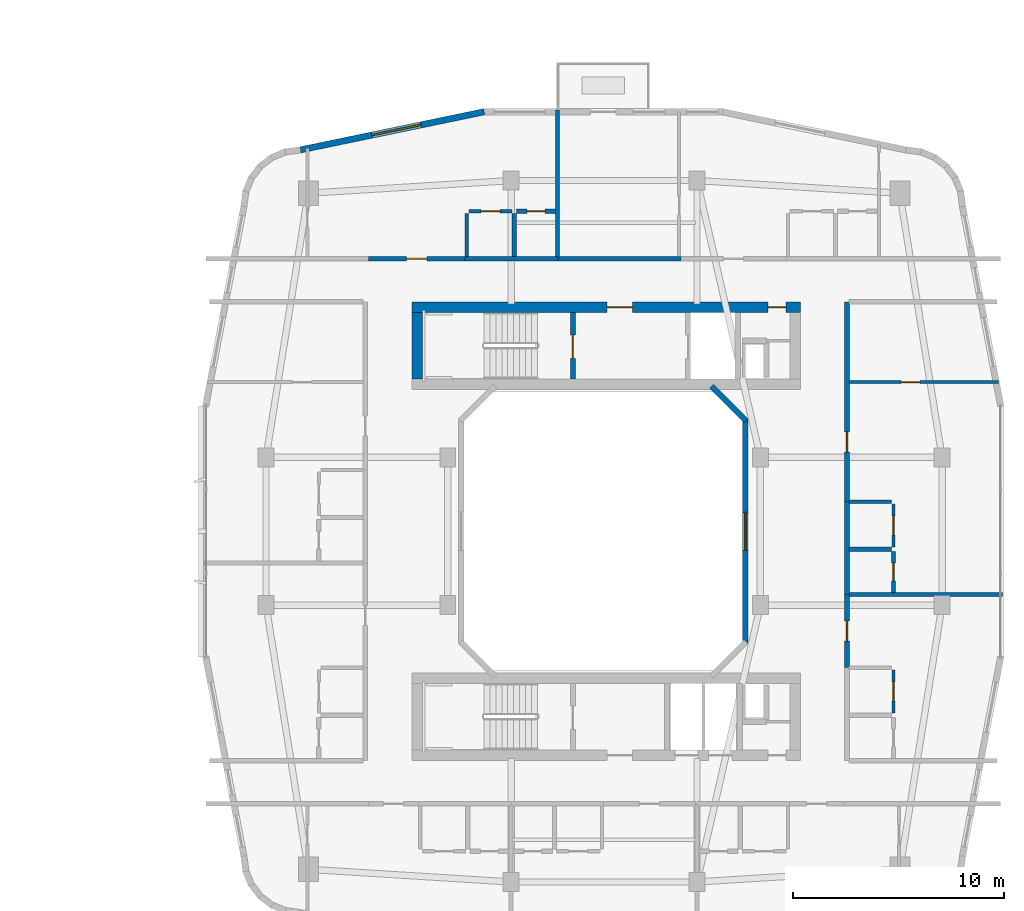
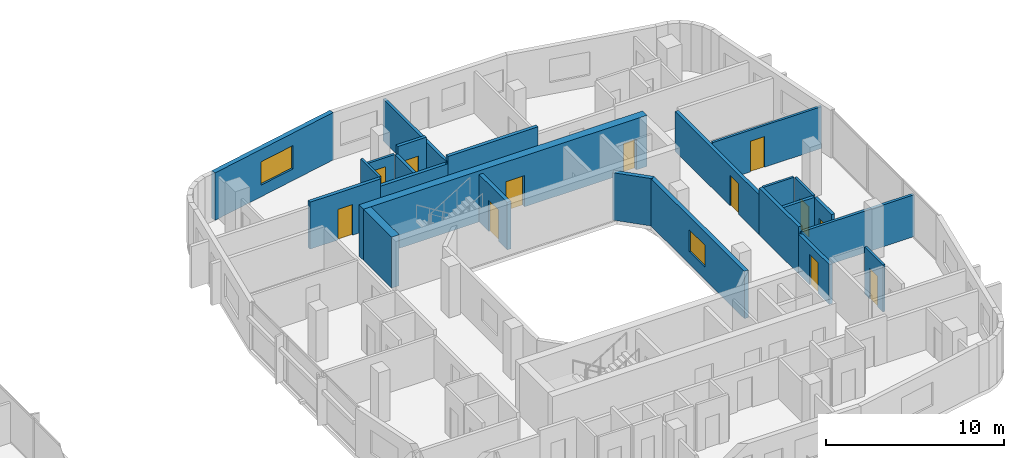
# One storey, part 15 of 22: 24 walls, 12 doors, 2 windows, 14 openings.
"""IFC4 building model written with IfcOpenShell, lengths in metres."""

from ifc_helpers import new_model, si_unit, derived_unit, direction, frame, frame_2d, origin, place, context, subcontext, project, spatial, rectangle, extrude, material, layer, layer_set, type_object, element, fill, save


model = new_model("IFC4")

# Units and contexts
model_context = context("Model", 3, precision=1e-05, world=origin(), true_north=direction((0.0, 1.0)))
body_context = subcontext(model_context, "Body", "Model", "MODEL_VIEW")
ifc_project = project(units=[si_unit("LENGTHUNIT", "METRE"), si_unit("AREAUNIT", "SQUARE_METRE"), si_unit("VOLUMEUNIT", "CUBIC_METRE"), si_unit("PLANEANGLEUNIT", "RADIAN"), si_unit("MASSUNIT", "GRAM", prefix="KILO"), derived_unit("THERMALTRANSMITTANCEUNIT", [(si_unit("POWERUNIT", "WATT"), 1), (si_unit("LENGTHUNIT", "METRE"), -2), (si_unit("THERMODYNAMICTEMPERATUREUNIT", "KELVIN"), -1)])], contexts=[model_context])

# Site, building, storey
site_placement = place(None, origin())
site = spatial("IfcSite", under=ifc_project, at=site_placement, CompositionType="ELEMENT")
building_placement = place(site_placement, origin())
building = spatial("IfcBuilding", under=site, at=building_placement, Name="Kivonza Crest Hotel", CompositionType="ELEMENT")
storey_placement = place(building_placement, frame((0.0, 0.0, 59.0)))
storey = spatial("IfcBuildingStorey", under=building, at=storey_placement, Name="L15", CompositionType="ELEMENT", Elevation=59.0)

# Walls
ifc_material_1 = material(Name="High-density acoustic masonry inter-tenancy wall", Category="masonry")
ifc_layer_1 = layer(ifc_material_1, 0.179931640625)
ifc_layer_set_1 = layer_set([ifc_layer_1], Name="High-density acoustic masonry inter-tenancy wall")
wall_type_1 = type_object("IfcWallType", Name="WL-ACOU-180", PredefinedType="SOLIDWALL", material=ifc_layer_set_1)
wall_1_placement = place(storey_placement, frame((74.800048828125, 37.89990234375, 0.0), z_axis=(0.0, 0.0, 1.0), x_axis=(0.0, 1.0, 0.0)))
element("IfcWall", 1, at=wall_1_placement, inside=storey, type_object=wall_type_1, Name="L15 interior partition WA-L15-T2N-DIV1", PredefinedType="SOLIDWALL", context=body_context, shape_type="SweptSolid", body=[
    extrude(rectangle(XDim=7.0400390625, YDim=0.179931640625, at=frame_2d((3.52001953125, 0.0))), origin(), (0.0, 0.0, 1.0), 2.864990234375),
])
wall_2_placement = place(storey_placement, frame((88.5, 22.0, 0.0), z_axis=(0.0, 0.0, 1.0), x_axis=(1.0, 0.0, 0.0)))
element("IfcWall", 2, at=wall_2_placement, inside=storey, type_object=wall_type_1, Name="L15 interior partition WA-L15-T2E-DIV1", PredefinedType="SOLIDWALL", context=body_context, shape_type="SweptSolid", body=[
    extrude(rectangle(XDim=7.360107421875, YDim=0.179931640625, at=frame_2d((3.68017578125, 0.0))), origin(), (0.0, 0.0, 1.0), 2.864990234375),
])
ifc_material_2 = material(Name="Autoclaved aerated concrete blockwork", Category="masonry")
ifc_layer_2 = layer(ifc_material_2, 0.219970703125)
ifc_layer_set_2 = layer_set([ifc_layer_2], Name="Autoclaved aerated concrete blockwork")
wall_type_2 = type_object("IfcWallType", Name="WL-ACOU-220", PredefinedType="SOLIDWALL", material=ifc_layer_set_2)
wall_3_placement = place(storey_placement, frame((70.419921875, 37.89990234375, 0.0), z_axis=(0.0, 0.0, 1.0), x_axis=(1.0, 0.0, 0.0)))
element("IfcWall", 3, at=wall_3_placement, inside=storey, type_object=wall_type_2, Name="L15 interior partition WA-L15-A01-RCORR", PredefinedType="SOLIDWALL", context=body_context, shape_type="SweptSolid", body=[
    extrude(rectangle(XDim=4.380126953125, YDim=0.219970703125, at=frame_2d((2.18994140625, 0.0))), origin(), (0.0, 0.0, 1.0), 2.72509765625),
])

# Wall, opening, door
wall_4_placement = place(storey_placement, frame((65.85009765625, 37.89990234375, 0.0), z_axis=(0.0, 0.0, 1.0), x_axis=(1.0, 0.0, 0.0)))
wall_4 = element("IfcWall", 4, at=wall_4_placement, inside=storey, type_object=wall_type_2, Name="L15 interior partition WA-L15-A01-MCORR", PredefinedType="SOLIDWALL", context=body_context, shape_type="SweptSolid", body=[
    extrude(rectangle(XDim=4.56982421875, YDim=0.219970703125, at=frame_2d((2.284912109375, 0.0))), origin(), (0.0, 0.0, 1.0), 3.219970703125),
])
opening_1_placement = place(wall_4_placement, frame((1.81005859375, 0.0, 0.0)))
opening_1 = element("IfcOpeningElement", 5, at=opening_1_placement, cuts=wall_4, Name="Opening DU-60", PredefinedType="OPENING", context=body_context, shape_type="SweptSolid", body=[
    extrude(rectangle(XDim=0.949951171875, YDim=2.10009765625, at=frame_2d((0.47509765625, 1.050048828125))), frame((0.0, 0.1201171875, 0.0), z_axis=(0.0, -1.0, 0.0), x_axis=(1.0, 0.0, 0.0)), (0.0, 0.0, 1.0), 0.239990234375),
])
ifc_material_3 = material(Name="Hardwood timber oak", Category="wood")
door_type_1 = type_object("IfcDoorType", Name="DR-UNIT-950", OperationType="NOTDEFINED", PredefinedType="DOOR", material=ifc_material_3)
door_1_placement = place(opening_1_placement, origin())
door_1 = element("IfcDoor", 6, at=door_1_placement, inside=storey, type_object=door_type_1, Name="L15 A01 apartment entrance fire door", OperationType="SINGLE_SWING_LEFT", OverallHeight=2.10009765625, OverallWidth=0.949951171875, PredefinedType="DOOR", context=body_context, shape_type="SweptSolid", body=[
    extrude(rectangle(XDim=0.949951171875, YDim=2.10009765625, at=frame_2d((0.47509765625, 1.050048828125))), frame((0.0, 0.02490234375, 0.0), z_axis=(0.0, -1.0, 0.0), x_axis=(1.0, 0.0, 0.0)), (0.0, 0.0, 1.0), 0.050048828125),
])
fill(opening_1, door_1)

# Wall
wall_5_placement = place(storey_placement, frame((74.800048828125, 37.89990234375, 0.0), z_axis=(0.0, 0.0, 1.0), x_axis=(1.0, 0.0, 0.0)))
element("IfcWall", 7, at=wall_5_placement, inside=storey, type_object=wall_type_2, Name="L15 interior partition WA-L15-A02-LCORR", PredefinedType="SOLIDWALL", context=body_context, shape_type="SweptSolid", body=[
    extrude(rectangle(XDim=5.829833984375, YDim=0.219970703125, at=frame_2d((2.9150390625, 0.0))), origin(), (0.0, 0.0, 1.0), 3.219970703125),
])

# Wall, opening, door
wall_6_placement = place(storey_placement, frame((88.5, 18.5400390625, 0.0), z_axis=(0.0, 0.0, 1.0), x_axis=(0.0, 1.0, 0.0)))
wall_6 = element("IfcWall", 8, at=wall_6_placement, inside=storey, type_object=wall_type_2, Name="L15 interior partition WA-L15-A08-MCORR", PredefinedType="SOLIDWALL", context=body_context, shape_type="SweptSolid", body=[
    extrude(rectangle(XDim=3.4599609375, YDim=0.219970703125, at=frame_2d((1.72998046875, 0.0))), origin(), (0.0, 0.0, 1.0), 2.72509765625),
])
opening_2_placement = place(wall_6_placement, frame((1.2548828125, 0.0, 0.0)))
opening_2 = element("IfcOpeningElement", 9, at=opening_2_placement, cuts=wall_6, Name="Opening DU-60", PredefinedType="OPENING", context=body_context, shape_type="SweptSolid", body=[
    extrude(rectangle(XDim=0.949951171875, YDim=2.10009765625, at=frame_2d((0.47509765625, 1.050048828125))), frame((0.0, 0.1201171875, 0.0), z_axis=(0.0, -1.0, 0.0), x_axis=(1.0, 0.0, 0.0)), (0.0, 0.0, 1.0), 0.239990234375),
])
door_2_placement = place(opening_2_placement, frame((0.949951171875, 0.0, 0.0), z_axis=(0.0, 0.0, 1.0), x_axis=(-1.0, 0.0, 0.0)))
door_2 = element("IfcDoor", 10, at=door_2_placement, inside=storey, type_object=door_type_1, Name="L15 A08 apartment entrance fire door", OperationType="SINGLE_SWING_RIGHT", OverallHeight=2.10009765625, OverallWidth=0.949951171875, PredefinedType="DOOR", context=body_context, shape_type="SweptSolid", body=[
    extrude(rectangle(XDim=0.949951171875, YDim=2.10009765625, at=frame_2d((0.47509765625, 1.050048828125))), frame((0.0, 0.02490234375, 0.0), z_axis=(0.0, -1.0, 0.0), x_axis=(1.0, 0.0, 0.0)), (0.0, 0.0, 1.0), 0.050048828125),
])
fill(opening_2, door_2)

# Wall
wall_7_placement = place(storey_placement, frame((88.5, 22.0, 0.0), z_axis=(0.0, 0.0, 1.0), x_axis=(0.0, 1.0, 0.0)))
element("IfcWall", 11, at=wall_7_placement, inside=storey, type_object=wall_type_2, Name="L15 interior partition WA-L15-A09-BCORR", PredefinedType="SOLIDWALL", context=body_context, shape_type="SweptSolid", body=[
    extrude(rectangle(XDim=4.39990234375, YDim=0.219970703125, at=frame_2d((2.199951171875, 0.0))), origin(), (0.0, 0.0, 1.0), 3.219970703125),
])

# Wall, opening, door
wall_8_placement = place(storey_placement, frame((88.5, 26.39990234375, 0.0), z_axis=(0.0, 0.0, 1.0), x_axis=(0.0, 1.0, 0.0)))
wall_8 = element("IfcWall", 12, at=wall_8_placement, inside=storey, type_object=wall_type_2, Name="L15 interior partition WA-L15-A09-MCORR", PredefinedType="SOLIDWALL", context=body_context, shape_type="SweptSolid", body=[
    extrude(rectangle(XDim=9.460205078125, YDim=0.219970703125, at=frame_2d((4.72998046875, 0.0))), origin(), (0.0, 0.0, 1.0), 2.72509765625),
])
opening_3_placement = place(wall_8_placement, frame((2.35498046875, 0.0, 0.0)))
opening_3 = element("IfcOpeningElement", 13, at=opening_3_placement, cuts=wall_8, Name="Opening DU-60", PredefinedType="OPENING", context=body_context, shape_type="SweptSolid", body=[
    extrude(rectangle(XDim=0.949951171875, YDim=2.10009765625, at=frame_2d((0.47509765625, 1.050048828125))), frame((0.0, 0.1201171875, 0.0), z_axis=(0.0, -1.0, 0.0), x_axis=(1.0, 0.0, 0.0)), (0.0, 0.0, 1.0), 0.239990234375),
])
door_3_placement = place(opening_3_placement, frame((0.949951171875, 0.0, 0.0), z_axis=(0.0, 0.0, 1.0), x_axis=(-1.0, 0.0, 0.0)))
door_3 = element("IfcDoor", 14, at=door_3_placement, inside=storey, type_object=door_type_1, Name="L15 A09 apartment entrance fire door", OperationType="SINGLE_SWING_LEFT", OverallHeight=2.10009765625, OverallWidth=0.949951171875, PredefinedType="DOOR", context=body_context, shape_type="SweptSolid", body=[
    extrude(rectangle(XDim=0.949951171875, YDim=2.10009765625, at=frame_2d((0.47509765625, 1.050048828125))), frame((0.0, 0.02490234375, 0.0), z_axis=(0.0, -1.0, 0.0), x_axis=(1.0, 0.0, 0.0)), (0.0, 0.0, 1.0), 0.050048828125),
])
fill(opening_3, door_3)

# Wall, openings, doors
ifc_material_4 = material(Name="Concrete C60/75", Category="concrete")
ifc_layer_3 = layer(ifc_material_4, 0.5)
ifc_layer_set_3 = layer_set([ifc_layer_3], Name="Concrete C60/75")
wall_type_3 = type_object("IfcWallType", Name="WL-CORE-500", PredefinedType="SHEAR", material=ifc_layer_set_3)
wall_9_placement = place(storey_placement, frame((67.89990234375, 35.610107421875, 0.0), z_axis=(0.0, 0.0, 1.0), x_axis=(1.0, 0.0, 0.0)))
wall_9 = element("IfcWall", 15, at=wall_9_placement, inside=storey, type_object=wall_type_3, Name="Core wall T2-N North L15", PredefinedType="SHEAR", context=body_context, shape_type="SweptSolid", body=[
    extrude(rectangle(XDim=18.400146484375, YDim=0.5, at=frame_2d((9.2001953125, 0.0))), origin(), (0.0, 0.0, 1.0), 3.5),
])
opening_4_placement = place(wall_9_placement, frame((9.25, 0.0, 0.0)))
opening_4 = element("IfcOpeningElement", 16, at=opening_4_placement, cuts=wall_9, Name="Opening DF-60", PredefinedType="OPENING", context=body_context, shape_type="SweptSolid", body=[
    extrude(rectangle(XDim=1.199951171875, YDim=2.14990234375, at=frame_2d((0.60009765625, 1.074951171875))), frame((0.0, 0.260009765625, 0.0), z_axis=(0.0, -1.0, 0.0), x_axis=(1.0, 0.0, 0.0)), (0.0, 0.0, 1.0), 0.52001953125),
])
opening_5_placement = place(wall_9_placement, frame((16.85009765625, 0.0, 0.0)))
opening_5 = element("IfcOpeningElement", 17, at=opening_5_placement, cuts=wall_9, Name="Opening DF-60R", PredefinedType="OPENING", context=body_context, shape_type="SweptSolid", body=[
    extrude(rectangle(XDim=0.85009765625, YDim=2.10009765625, at=frame_2d((0.425048828125, 1.050048828125))), frame((0.0, 0.260009765625, 0.0), z_axis=(0.0, -1.0, 0.0), x_axis=(1.0, 0.0, 0.0)), (0.0, 0.0, 1.0), 0.52001953125),
])
door_type_2 = type_object("IfcDoorType", Name="DR-FD60-1200", OperationType="NOTDEFINED", PredefinedType="DOOR", material=ifc_material_3)
door_4_placement = place(opening_4_placement, origin())
door_4 = element("IfcDoor", 18, at=door_4_placement, inside=storey, type_object=door_type_2, Name="L15 T2-N firefighting lobby fire door", OperationType="SINGLE_SWING_RIGHT", OverallHeight=2.14990234375, OverallWidth=1.199951171875, PredefinedType="DOOR", context=body_context, shape_type="SweptSolid", body=[
    extrude(rectangle(XDim=1.199951171875, YDim=2.14990234375, at=frame_2d((0.60009765625, 1.074951171875))), frame((0.0, 0.02490234375, 0.0), z_axis=(0.0, -1.0, 0.0), x_axis=(1.0, 0.0, 0.0)), (0.0, 0.0, 1.0), 0.050048828125),
])
fill(opening_4, door_4)
door_type_3 = type_object("IfcDoorType", Name="DR-FD60-850", OperationType="NOTDEFINED", PredefinedType="DOOR", material=ifc_material_3)
door_5_placement = place(opening_5_placement, origin())
door_5 = element("IfcDoor", 19, at=door_5_placement, inside=storey, type_object=door_type_3, Name="L15 T2-N core room door", OperationType="SINGLE_SWING_RIGHT", OverallHeight=2.10009765625, OverallWidth=0.85009765625, PredefinedType="DOOR", context=body_context, shape_type="SweptSolid", body=[
    extrude(rectangle(XDim=0.85009765625, YDim=2.10009765625, at=frame_2d((0.425048828125, 1.050048828125))), frame((0.0, 0.02490234375, 0.0), z_axis=(0.0, -1.0, 0.0), x_axis=(1.0, 0.0, 0.0)), (0.0, 0.0, 1.0), 0.050048828125),
])
fill(opening_5, door_5)

# Wall
wall_10_placement = place(storey_placement, frame((68.14990234375, 32.199951171875, 0.0), z_axis=(0.0, 0.0, 1.0), x_axis=(0.0, 1.0, 0.0)))
element("IfcWall", 20, at=wall_10_placement, inside=storey, type_object=wall_type_3, Name="Core wall T2-N West L15", PredefinedType="SHEAR", context=body_context, shape_type="SweptSolid", body=[
    extrude(rectangle(XDim=3.16015625, YDim=0.5, at=frame_2d((1.580078125, 0.0))), origin(), (0.0, 0.0, 1.0), 3.5),
])

# Wall, opening, window
ifc_material_5 = material(Name="Precast concrete C40/50", Category="concrete")
ifc_layer_4 = layer(ifc_material_5, 0.260009765625)
ifc_layer_set_4 = layer_set([ifc_layer_4], Name="Precast concrete C40/50")
wall_type_4 = type_object("IfcWallType", Name="WL-EXT-260", PredefinedType="STANDARD", material=ifc_layer_set_4)
wall_11_placement = place(storey_placement, frame((83.68994140625, 19.7099609375, 0.0), z_axis=(0.0, 0.0, 1.0), x_axis=(0.0, 1.0, 0.0)))
wall_11 = element("IfcWall", 21, at=wall_11_placement, inside=storey, type_object=wall_type_4, Name="L15 T2 light-well exterior wall 3", PredefinedType="STANDARD", context=body_context, shape_type="SweptSolid", body=[
    extrude(rectangle(XDim=10.580078125, YDim=0.260009765625, at=frame_2d((5.2900390625, 0.0))), origin(), (0.0, 0.0, 1.0), 3.25),
])
opening_6_placement = place(wall_11_placement, frame((4.389892578125, 0.0, 0.85009765625)))
opening_6 = element("IfcOpeningElement", 22, at=opening_6_placement, cuts=wall_11, Name="Opening WN-03", PredefinedType="OPENING", context=body_context, shape_type="SweptSolid", body=[
    extrude(rectangle(XDim=1.800048828125, YDim=1.5, at=frame_2d((0.89990234375, 0.75))), frame((0.0, 0.14013671875, 0.0), z_axis=(0.0, -1.0, 0.0), x_axis=(1.0, 0.0, 0.0)), (0.0, 0.0, 1.0), 0.280029296875),
])
ifc_material_6 = material(Name="Thermally broken bronze aluminium and low-E double glazing", Category="aluminium")
window_type_1 = type_object("IfcWindowType", Name="WN-180x150", PartitioningType="DOUBLE_PANEL_VERTICAL", PredefinedType="WINDOW", material=ifc_material_6)
window_1_placement = place(opening_6_placement, origin())
window_1 = element("IfcWindow", 23, at=window_1_placement, inside=storey, type_object=window_type_1, Name="L15 T2 light-well window 3", OverallHeight=1.5, OverallWidth=1.800048828125, PartitioningType="SINGLE_PANEL", PredefinedType="WINDOW", context=body_context, shape_type="SweptSolid", body=[
    extrude(rectangle(XDim=1.800048828125, YDim=1.5, at=frame_2d((0.89990234375, 0.75))), frame((0.0, 0.030029296875, 0.0), z_axis=(0.0, -1.0, 0.0), x_axis=(1.0, 0.0, 0.0)), (0.0, 0.0, 1.0), 0.06005859375),
])
fill(opening_6, window_1)

# Wall
wall_12_placement = place(storey_placement, frame((83.716064453125, 30.22802734375, 0.0), z_axis=(0.0, 0.0, 1.0), x_axis=(-0.707106781187, 0.707106781187, 0.0)))
element("IfcWall", 24, at=wall_12_placement, inside=storey, type_object=wall_type_4, Name="L15 T2 light-well exterior wall 4", PredefinedType="STANDARD", context=body_context, shape_type="SweptSolid", body=[
    extrude(rectangle(XDim=2.310791015625, YDim=0.260009765625, at=frame_2d((1.1552734375, 0.0))), origin(), (0.0, 0.0, 1.0), 3.25),
])

# Wall, opening, window
ifc_layer_5 = layer(ifc_material_5, 0.300048828125)
ifc_layer_set_5 = layer_set([ifc_layer_5], Name="Precast concrete C40/50")
wall_type_5 = type_object("IfcWallType", Name="WL-EXT-300", PredefinedType="STANDARD", material=ifc_layer_set_5)
wall_13_placement = place(storey_placement, frame((71.325927734375, 44.85791015625, 0.0), z_axis=(0.0, 0.0, 1.0), x_axis=(-0.979124350489, -0.203262161453, 0.0)))
wall_13 = element("IfcWall", 25, at=wall_13_placement, inside=storey, type_object=wall_type_5, Name="L15 T2 exterior insulated wall 27", PredefinedType="STANDARD", context=body_context, shape_type="SweptSolid", body=[
    extrude(rectangle(XDim=8.889404296875, YDim=0.300048828125, at=frame_2d((4.44482421875, 0.0))), origin(), (0.0, 0.0, 1.0), 3.25),
])
opening_7_placement = place(wall_13_placement, frame((3.032958984375, 0.0, 0.800048828125)))
opening_7 = element("IfcOpeningElement", 26, at=opening_7_placement, cuts=wall_13, Name="Opening WN-05", PredefinedType="OPENING", context=body_context, shape_type="SweptSolid", body=[
    extrude(rectangle(XDim=2.39990234375, YDim=1.60009765625, at=frame_2d((1.199951171875, 0.800048828125))), frame((0.0, 0.16015625, 0.0), z_axis=(0.0, -1.0, 0.0), x_axis=(1.0, 0.0, 0.0)), (0.0, 0.0, 1.0), 0.320068359375),
])
window_type_2 = type_object("IfcWindowType", Name="WN-240x160", PartitioningType="TRIPLE_PANEL_VERTICAL", PredefinedType="WINDOW", material=ifc_material_6)
window_2_placement = place(opening_7_placement, origin())
window_2 = element("IfcWindow", 27, at=window_2_placement, inside=storey, type_object=window_type_2, Name="L15 T2 facade window 27", OverallHeight=1.60009765625, OverallWidth=2.39990234375, PartitioningType="SINGLE_PANEL", PredefinedType="WINDOW", context=body_context, shape_type="SweptSolid", body=[
    extrude(rectangle(XDim=2.39990234375, YDim=1.60009765625, at=frame_2d((1.199951171875, 0.800048828125))), frame((0.0, 0.030029296875, 0.0), z_axis=(0.0, -1.0, 0.0), x_axis=(1.0, 0.0, 0.0)), (0.0, 0.0, 1.0), 0.06005859375),
])
fill(opening_7, window_2)

# Wall
ifc_material_7 = material(Name="Twin-stud acoustic gypsum board partition", Category="gypsum")
ifc_layer_6 = layer(ifc_material_7, 0.14990234375)
ifc_layer_set_6 = layer_set([ifc_layer_6], Name="Twin-stud acoustic gypsum board partition")
wall_type_6 = type_object("IfcWallType", Name="WL-PART-150", PredefinedType="PARTITIONING", material=ifc_layer_set_6)
wall_14_placement = place(storey_placement, frame((70.5, 38.0, 0.0), z_axis=(0.0, 0.0, 1.0), x_axis=(0.0, 1.0, 0.0)))
element("IfcWall", 28, at=wall_14_placement, inside=storey, type_object=wall_type_6, Name="L15 interior partition WP-L15-A01-KF", PredefinedType="PARTITIONING", context=body_context, shape_type="SweptSolid", body=[
    extrude(rectangle(XDim=2.050048828125, YDim=0.14990234375, at=frame_2d((1.02490234375, 0.0))), origin(), (0.0, 0.0, 1.0), 3.219970703125),
])

# Wall, opening, door
wall_15_placement = place(storey_placement, frame((70.60009765625, 40.14990234375, 0.0), z_axis=(0.0, 0.0, 1.0), x_axis=(1.0, 0.0, 0.0)))
wall_15 = element("IfcWall", 29, at=wall_15_placement, inside=storey, type_object=wall_type_6, Name="L15 interior partition WP-L15-A01-KSVC", PredefinedType="PARTITIONING", context=body_context, shape_type="SweptSolid", body=[
    extrude(rectangle(XDim=2.0498046875, YDim=0.14990234375, at=frame_2d((1.02490234375, 0.0))), origin(), (0.0, 0.0, 1.0), 2.72509765625),
])
opening_8_placement = place(wall_15_placement, frame((0.574951171875, 0.0, 0.0)))
opening_8 = element("IfcOpeningElement", 30, at=opening_8_placement, cuts=wall_15, Name="Opening DI-90", PredefinedType="OPENING", context=body_context, shape_type="SweptSolid", body=[
    extrude(rectangle(XDim=0.89990234375, YDim=2.10009765625, at=frame_2d((0.449951171875, 1.050048828125))), frame((0.0, 0.0849609375, 0.0), z_axis=(0.0, -1.0, 0.0), x_axis=(1.0, 0.0, 0.0)), (0.0, 0.0, 1.0), 0.169921875),
])
door_type_4 = type_object("IfcDoorType", Name="DR-INT-900", OperationType="NOTDEFINED", PredefinedType="DOOR", material=ifc_material_3)
door_6_placement = place(opening_8_placement, origin())
door_6 = element("IfcDoor", 31, at=door_6_placement, inside=storey, type_object=door_type_4, Name="L15 A01 apartment kitchen door", OperationType="SINGLE_SWING_LEFT", OverallHeight=2.10009765625, OverallWidth=0.89990234375, PredefinedType="DOOR", context=body_context, shape_type="SweptSolid", body=[
    extrude(rectangle(XDim=0.89990234375, YDim=2.10009765625, at=frame_2d((0.449951171875, 1.050048828125))), frame((0.0, 0.02490234375, 0.0), z_axis=(0.0, -1.0, 0.0), x_axis=(1.0, 0.0, 0.0)), (0.0, 0.0, 1.0), 0.050048828125),
])
fill(opening_8, door_6)

wall_16_placement = place(storey_placement, frame((90.699951171875, 16.389892578125, 0.0), z_axis=(0.0, 0.0, 1.0), x_axis=(0.0, 1.0, 0.0)))
wall_16 = element("IfcWall", 32, at=wall_16_placement, inside=storey, type_object=wall_type_6, Name="L15 interior partition WP-L15-A08-KSVC", PredefinedType="PARTITIONING", context=body_context, shape_type="SweptSolid", body=[
    extrude(rectangle(XDim=2.050048828125, YDim=0.14990234375, at=frame_2d((1.02490234375, 0.0))), origin(), (0.0, 0.0, 1.0), 3.219970703125),
])
opening_9_placement = place(wall_16_placement, frame((0.574951171875, 0.0, 0.0)))
opening_9 = element("IfcOpeningElement", 33, at=opening_9_placement, cuts=wall_16, Name="Opening DI-90", PredefinedType="OPENING", context=body_context, shape_type="SweptSolid", body=[
    extrude(rectangle(XDim=0.89990234375, YDim=2.10009765625, at=frame_2d((0.449951171875, 1.050048828125))), frame((0.0, 0.0849609375, 0.0), z_axis=(0.0, -1.0, 0.0), x_axis=(1.0, 0.0, 0.0)), (0.0, 0.0, 1.0), 0.169921875),
])
door_7_placement = place(opening_9_placement, frame((0.89990234375, 0.0, 0.0), z_axis=(0.0, 0.0, 1.0), x_axis=(-1.0, 0.0, 0.0)))
door_7 = element("IfcDoor", 34, at=door_7_placement, inside=storey, type_object=door_type_4, Name="L15 A08 apartment kitchen door", OperationType="SINGLE_SWING_RIGHT", OverallHeight=2.10009765625, OverallWidth=0.89990234375, PredefinedType="DOOR", context=body_context, shape_type="SweptSolid", body=[
    extrude(rectangle(XDim=0.89990234375, YDim=2.10009765625, at=frame_2d((0.449951171875, 1.050048828125))), frame((0.0, 0.02490234375, 0.0), z_axis=(0.0, -1.0, 0.0), x_axis=(1.0, 0.0, 0.0)), (0.0, 0.0, 1.0), 0.050048828125),
])
fill(opening_9, door_7)

wall_17_placement = place(storey_placement, frame((88.60009765625, 32.06005859375, 0.0), z_axis=(0.0, 0.0, 1.0), x_axis=(1.0, 0.0, 0.0)))
wall_17 = element("IfcWall", 35, at=wall_17_placement, inside=storey, type_object=wall_type_6, Name="L15 interior partition WP-L15-A09-BD1", PredefinedType="PARTITIONING", context=body_context, shape_type="SweptSolid", body=[
    extrude(rectangle(XDim=7.059814453125, YDim=0.14990234375, at=frame_2d((3.52978515625, 0.0))), origin(), (0.0, 0.0, 1.0), 2.864990234375),
])
opening_10_placement = place(wall_17_placement, frame((2.449951171875, 0.0, 0.0)))
opening_10 = element("IfcOpeningElement", 36, at=opening_10_placement, cuts=wall_17, Name="Opening DI-90", PredefinedType="OPENING", context=body_context, shape_type="SweptSolid", body=[
    extrude(rectangle(XDim=0.89990234375, YDim=2.10009765625, at=frame_2d((0.449951171875, 1.050048828125))), frame((0.0, 0.0849609375, 0.0), z_axis=(0.0, -1.0, 0.0), x_axis=(1.0, 0.0, 0.0)), (0.0, 0.0, 1.0), 0.169921875),
])
door_8_placement = place(opening_10_placement, origin())
door_8 = element("IfcDoor", 37, at=door_8_placement, inside=storey, type_object=door_type_4, Name="L15 A09 bedroom door", OperationType="SINGLE_SWING_RIGHT", OverallHeight=2.10009765625, OverallWidth=0.89990234375, PredefinedType="DOOR", context=body_context, shape_type="SweptSolid", body=[
    extrude(rectangle(XDim=0.89990234375, YDim=2.10009765625, at=frame_2d((0.449951171875, 1.050048828125))), frame((0.0, 0.02490234375, 0.0), z_axis=(0.0, -1.0, 0.0), x_axis=(1.0, 0.0, 0.0)), (0.0, 0.0, 1.0), 0.050048828125),
])
fill(opening_10, door_8)

# Wall
wall_18_placement = place(storey_placement, frame((88.60009765625, 26.39990234375, 0.0), z_axis=(0.0, 0.0, 1.0), x_axis=(1.0, 0.0, 0.0)))
element("IfcWall", 38, at=wall_18_placement, inside=storey, type_object=wall_type_6, Name="L15 interior partition WP-L15-A09-KF", PredefinedType="PARTITIONING", context=body_context, shape_type="SweptSolid", body=[
    extrude(rectangle(XDim=2.0, YDim=0.14990234375, at=frame_2d((1.0, 0.0))), origin(), (0.0, 0.0, 1.0), 3.219970703125),
])

# Wall, opening, door
wall_19_placement = place(storey_placement, frame((90.699951171875, 24.25, 0.0), z_axis=(0.0, 0.0, 1.0), x_axis=(0.0, 1.0, 0.0)))
wall_19 = element("IfcWall", 39, at=wall_19_placement, inside=storey, type_object=wall_type_6, Name="L15 interior partition WP-L15-A09-KSVC", PredefinedType="PARTITIONING", context=body_context, shape_type="SweptSolid", body=[
    extrude(rectangle(XDim=2.050048828125, YDim=0.14990234375, at=frame_2d((1.02490234375, 0.0))), origin(), (0.0, 0.0, 1.0), 3.219970703125),
])
opening_11_placement = place(wall_19_placement, frame((0.574951171875, 0.0, 0.0)))
opening_11 = element("IfcOpeningElement", 40, at=opening_11_placement, cuts=wall_19, Name="Opening DI-90", PredefinedType="OPENING", context=body_context, shape_type="SweptSolid", body=[
    extrude(rectangle(XDim=0.89990234375, YDim=2.10009765625, at=frame_2d((0.449951171875, 1.050048828125))), frame((0.0, 0.0849609375, 0.0), z_axis=(0.0, -1.0, 0.0), x_axis=(1.0, 0.0, 0.0)), (0.0, 0.0, 1.0), 0.169921875),
])
door_9_placement = place(opening_11_placement, frame((0.89990234375, 0.0, 0.0), z_axis=(0.0, 0.0, 1.0), x_axis=(-1.0, 0.0, 0.0)))
door_9 = element("IfcDoor", 41, at=door_9_placement, inside=storey, type_object=door_type_4, Name="L15 A09 apartment kitchen door", OperationType="SINGLE_SWING_LEFT", OverallHeight=2.10009765625, OverallWidth=0.89990234375, PredefinedType="DOOR", context=body_context, shape_type="SweptSolid", body=[
    extrude(rectangle(XDim=0.89990234375, YDim=2.10009765625, at=frame_2d((0.449951171875, 1.050048828125))), frame((0.0, 0.02490234375, 0.0), z_axis=(0.0, -1.0, 0.0), x_axis=(1.0, 0.0, 0.0)), (0.0, 0.0, 1.0), 0.050048828125),
])
fill(opening_11, door_9)

# Wall
ifc_material_8 = material(Name="Moisture-resistant plumbing chase partition wall", Category="gypsum")
ifc_layer_7 = layer(ifc_material_8, 0.199951171875)
ifc_layer_set_7 = layer_set([ifc_layer_7], Name="Moisture-resistant plumbing chase partition wall")
wall_type_7 = type_object("IfcWallType", Name="WL-PLUMB-200", PredefinedType="PLUMBINGWALL", material=ifc_layer_set_7)
wall_20_placement = place(storey_placement, frame((72.75, 38.0, 0.0), z_axis=(0.0, 0.0, 1.0), x_axis=(0.0, 1.0, 0.0)))
element("IfcWall", 42, at=wall_20_placement, inside=storey, type_object=wall_type_7, Name="L15 interior partition WW-L15-A01-BK", PredefinedType="PLUMBINGWALL", context=body_context, shape_type="SweptSolid", body=[
    extrude(rectangle(XDim=2.050048828125, YDim=0.199951171875, at=frame_2d((1.02490234375, 0.0))), origin(), (0.0, 0.0, 1.0), 2.72509765625),
])

# Wall, opening, door
wall_21_placement = place(storey_placement, frame((72.85009765625, 40.14990234375, 0.0), z_axis=(0.0, 0.0, 1.0), x_axis=(1.0, 0.0, 0.0)))
wall_21 = element("IfcWall", 43, at=wall_21_placement, inside=storey, type_object=wall_type_7, Name="L15 interior partition WW-L15-A01-BSVC", PredefinedType="PLUMBINGWALL", context=body_context, shape_type="SweptSolid", body=[
    extrude(rectangle(XDim=1.849853515625, YDim=0.199951171875, at=frame_2d((0.9248046875, 0.0))), origin(), (0.0, 0.0, 1.0), 3.219970703125),
])
opening_12_placement = place(wall_21_placement, frame((0.5, 0.0, 0.0)))
opening_12 = element("IfcOpeningElement", 44, at=opening_12_placement, cuts=wall_21, Name="Opening DI-85", PredefinedType="OPENING", context=body_context, shape_type="SweptSolid", body=[
    extrude(rectangle(XDim=0.85009765625, YDim=2.10009765625, at=frame_2d((0.425048828125, 1.050048828125))), frame((0.0, 0.10986328125, 0.0), z_axis=(0.0, -1.0, 0.0), x_axis=(1.0, 0.0, 0.0)), (0.0, 0.0, 1.0), 0.219970703125),
])
door_type_5 = type_object("IfcDoorType", Name="DR-INT-850", OperationType="NOTDEFINED", PredefinedType="DOOR", material=ifc_material_3)
door_10_placement = place(opening_12_placement, origin())
door_10 = element("IfcDoor", 45, at=door_10_placement, inside=storey, type_object=door_type_5, Name="L15 A01 apartment bathroom door", OperationType="SINGLE_SWING_RIGHT", OverallHeight=2.10009765625, OverallWidth=0.85009765625, PredefinedType="DOOR", context=body_context, shape_type="SweptSolid", body=[
    extrude(rectangle(XDim=0.85009765625, YDim=2.10009765625, at=frame_2d((0.425048828125, 1.050048828125))), frame((0.0, 0.02490234375, 0.0), z_axis=(0.0, -1.0, 0.0), x_axis=(1.0, 0.0, 0.0)), (0.0, 0.0, 1.0), 0.050048828125),
])
fill(opening_12, door_10)

# Wall
wall_22_placement = place(storey_placement, frame((88.60009765625, 24.14990234375, 0.0), z_axis=(0.0, 0.0, 1.0), x_axis=(1.0, 0.0, 0.0)))
element("IfcWall", 46, at=wall_22_placement, inside=storey, type_object=wall_type_7, Name="L15 interior partition WW-L15-A09-BK", PredefinedType="PLUMBINGWALL", context=body_context, shape_type="SweptSolid", body=[
    extrude(rectangle(XDim=2.0, YDim=0.199951171875, at=frame_2d((1.0, 0.0))), origin(), (0.0, 0.0, 1.0), 3.219970703125),
])

# Wall, opening, door
wall_23_placement = place(storey_placement, frame((90.699951171875, 22.10009765625, 0.0), z_axis=(0.0, 0.0, 1.0), x_axis=(0.0, 1.0, 0.0)))
wall_23 = element("IfcWall", 47, at=wall_23_placement, inside=storey, type_object=wall_type_7, Name="L15 interior partition WW-L15-A09-BSVC", PredefinedType="PLUMBINGWALL", context=body_context, shape_type="SweptSolid", body=[
    extrude(rectangle(XDim=1.949951171875, YDim=0.199951171875, at=frame_2d((0.97509765625, 0.0))), origin(), (0.0, 0.0, 1.0), 3.219970703125),
])
opening_13_placement = place(wall_23_placement, frame((0.550048828125, 0.0, 0.0)))
opening_13 = element("IfcOpeningElement", 48, at=opening_13_placement, cuts=wall_23, Name="Opening DI-85", PredefinedType="OPENING", context=body_context, shape_type="SweptSolid", body=[
    extrude(rectangle(XDim=0.85009765625, YDim=2.10009765625, at=frame_2d((0.425048828125, 1.050048828125))), frame((0.0, 0.10986328125, 0.0), z_axis=(0.0, -1.0, 0.0), x_axis=(1.0, 0.0, 0.0)), (0.0, 0.0, 1.0), 0.219970703125),
])
door_11_placement = place(opening_13_placement, frame((0.85009765625, 0.0, 0.0), z_axis=(0.0, 0.0, 1.0), x_axis=(-1.0, 0.0, 0.0)))
door_11 = element("IfcDoor", 49, at=door_11_placement, inside=storey, type_object=door_type_5, Name="L15 A09 apartment bathroom door", OperationType="SINGLE_SWING_RIGHT", OverallHeight=2.10009765625, OverallWidth=0.85009765625, PredefinedType="DOOR", context=body_context, shape_type="SweptSolid", body=[
    extrude(rectangle(XDim=0.85009765625, YDim=2.10009765625, at=frame_2d((0.425048828125, 1.050048828125))), frame((0.0, 0.02490234375, 0.0), z_axis=(0.0, -1.0, 0.0), x_axis=(1.0, 0.0, 0.0)), (0.0, 0.0, 1.0), 0.050048828125),
])
fill(opening_13, door_11)

ifc_material_9 = material(Name="Concrete C50/60", Category="concrete")
ifc_layer_8 = layer(ifc_material_9, 0.25)
ifc_layer_set_8 = layer_set([ifc_layer_8], Name="Concrete C50/60")
wall_type_8 = type_object("IfcWallType", Name="WL-SHAFT-250", PredefinedType="STANDARD", material=ifc_layer_set_8)
wall_24_placement = place(storey_placement, frame((75.52490234375, 32.199951171875, 0.0), z_axis=(0.0, 0.0, 1.0), x_axis=(0.0, 1.0, 0.0)))
wall_24 = element("IfcWall", 50, at=wall_24_placement, inside=storey, type_object=wall_type_8, Name="Core shaft wall T2-N STAIR L15", PredefinedType="STANDARD", context=body_context, shape_type="SweptSolid", body=[
    extrude(rectangle(XDim=3.16015625, YDim=0.25, at=frame_2d((1.580078125, 0.0))), origin(), (0.0, 0.0, 1.0), 3.25),
])
opening_14_placement = place(wall_24_placement, frame((0.97998046875, 0.0, 0.0)))
opening_14 = element("IfcOpeningElement", 51, at=opening_14_placement, cuts=wall_24, Name="Opening DF-120", PredefinedType="OPENING", context=body_context, shape_type="SweptSolid", body=[
    extrude(rectangle(XDim=1.10009765625, YDim=2.14990234375, at=frame_2d((0.550048828125, 1.074951171875))), frame((0.0, 0.135009765625, 0.0), z_axis=(0.0, -1.0, 0.0), x_axis=(1.0, 0.0, 0.0)), (0.0, 0.0, 1.0), 0.27001953125),
])
ifc_material_10 = material(Name="Galvanised steel", Category="steel")
door_type_6 = type_object("IfcDoorType", Name="DR-FD120-1100", OperationType="NOTDEFINED", PredefinedType="DOOR", material=ifc_material_10)
door_12_placement = place(opening_14_placement, frame((1.10009765625, 0.0, 0.0), z_axis=(0.0, 0.0, 1.0), x_axis=(-1.0, 0.0, 0.0)))
door_12 = element("IfcDoor", 52, at=door_12_placement, inside=storey, type_object=door_type_6, Name="L15 T2-N stair fire door", OperationType="SINGLE_SWING_LEFT", OverallHeight=2.14990234375, OverallWidth=1.10009765625, PredefinedType="DOOR", context=body_context, shape_type="SweptSolid", body=[
    extrude(rectangle(XDim=1.10009765625, YDim=2.14990234375, at=frame_2d((0.550048828125, 1.074951171875))), frame((0.0, 0.02490234375, 0.0), z_axis=(0.0, -1.0, 0.0), x_axis=(1.0, 0.0, 0.0)), (0.0, 0.0, 1.0), 0.050048828125),
])
fill(opening_14, door_12)

save(model, "model.ifc")
